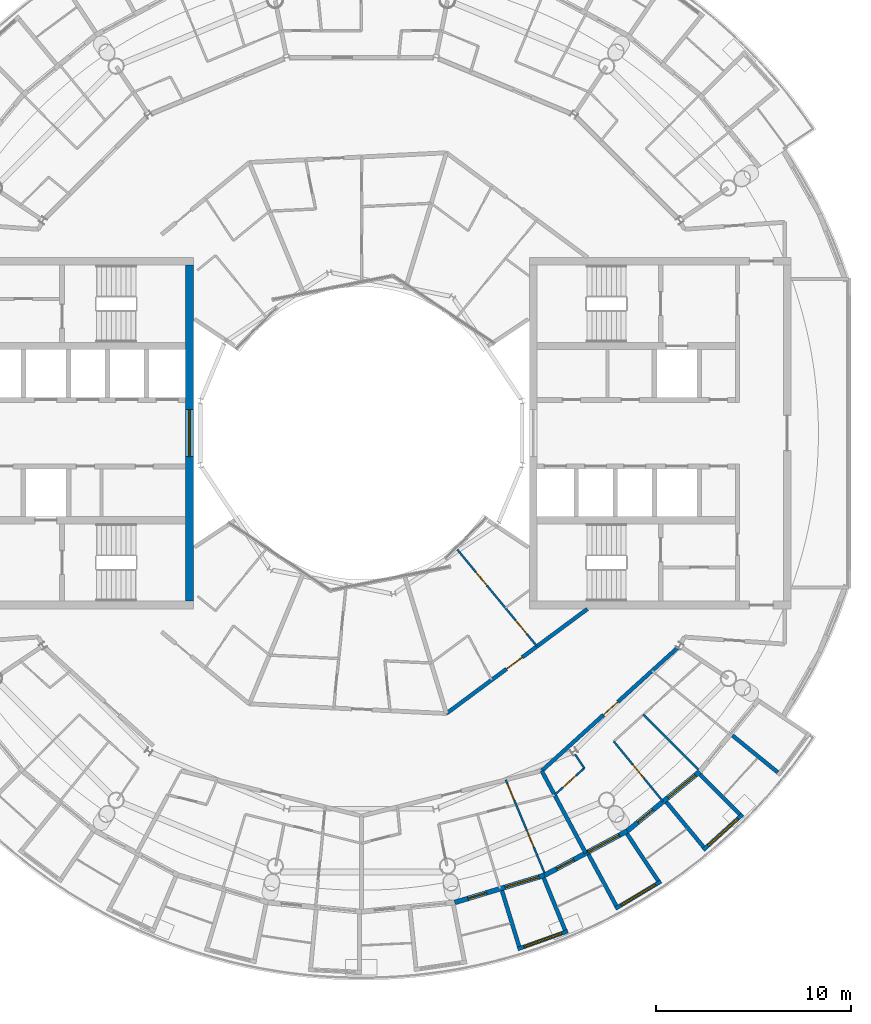
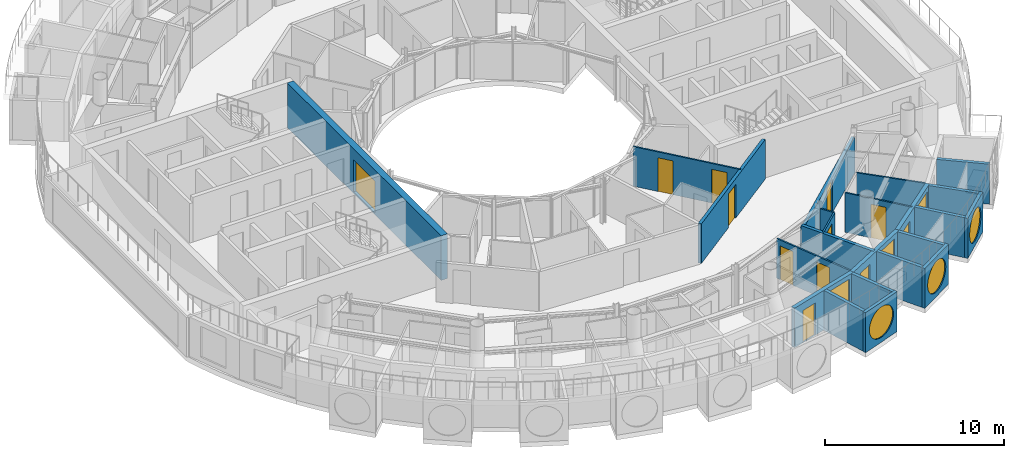
# One storey, part 15 of 25: 23 walls, 11 doors, 7 windows, 18 openings.
"""IFC4 building model written with IfcOpenShell, lengths in metres."""

from ifc_helpers import new_model, si_unit, direction, frame, frame_2d, origin, place, context, subcontext, project, spatial, rectangle, circle, extrude, material, layer, layer_set, type_object, element, fill, save


model = new_model("IFC4")

# Units and contexts
model_context = context("Model", 3, precision=1e-05, world=origin(), true_north=direction((0.0, 1.0)))
body_context = subcontext(model_context, "Body", "Model", "MODEL_VIEW")
ifc_project = project(units=[si_unit("LENGTHUNIT", "METRE"), si_unit("AREAUNIT", "SQUARE_METRE"), si_unit("VOLUMEUNIT", "CUBIC_METRE"), si_unit("PLANEANGLEUNIT", "RADIAN"), si_unit("MASSUNIT", "GRAM", prefix="KILO")], contexts=[model_context])

# Site, building, storey
site_placement = place(None, origin())
site = spatial("IfcSite", under=ifc_project, at=site_placement, CompositionType="ELEMENT")
building_placement = place(site_placement, origin())
building = spatial("IfcBuilding", under=site, at=building_placement, Name="Maasbend Ring Residences", CompositionType="ELEMENT")
storey_placement = place(building_placement, frame((0.0, 0.0, 246.25)))
storey = spatial("IfcBuildingStorey", under=building, at=storey_placement, Name="L71", CompositionType="ELEMENT", Elevation=246.25)

# Wall, opening, window
ifc_material_1 = material(Name="Concrete C50/60", Category="concrete")
ifc_layer_1 = layer(ifc_material_1, 0.39990234375)
ifc_layer_set_1 = layer_set([ifc_layer_1], Name="Concrete C50/60")
wall_type_1 = type_object("IfcWallType", Name="CORE WALL 400 C50/60", PredefinedType="SHEAR", material=ifc_layer_set_1)
wall_1_placement = place(storey_placement, frame((-8.800048828125, 8.60009765625, 0.0), z_axis=(0.0, 0.0, 1.0), x_axis=(0.0, -1.0, 0.0)))
wall_1 = element("IfcWall", 1, at=wall_1_placement, inside=storey, type_object=wall_type_1, Name="L71 core W wall PIN", PredefinedType="SHEAR", context=body_context, shape_type="SweptSolid", body=[
    extrude(rectangle(XDim=17.2001953125, YDim=0.39990234375, at=frame_2d((8.60009765625, 0.0))), origin(), (0.0, 0.0, 1.0), 3.050048828125),
])
opening_1_placement = place(wall_1_placement, frame((7.39990234375, 0.0, 0.10009765625)))
opening_1 = element("IfcOpeningElement", 2, at=opening_1_placement, cuts=wall_1, Name="Opening W-W7101", PredefinedType="OPENING", context=body_context, shape_type="SweptSolid", body=[
    extrude(rectangle(XDim=2.39990234375, YDim=2.199951171875, at=frame_2d((1.199951171875, 1.10009765625))), frame((0.0, 0.2099609375, 0.0), z_axis=(0.0, -1.0, 0.0), x_axis=(1.0, 0.0, 0.0)), (0.0, 0.0, 1.0), 0.419921875),
])
ifc_material_2 = material(Name="Aluminium frame and clear glass", Category="aluminium")
window_type_1 = type_object("IfcWindowType", Name="FIXED WINDOW 2400 X 2200", PartitioningType="SINGLE_PANEL", PredefinedType="WINDOW", material=ifc_material_2)
window_1_placement = place(opening_1_placement, origin())
window_1 = element("IfcWindow", 3, at=window_1_placement, inside=storey, type_object=window_type_1, Name="Lobby window L71", OverallHeight=2.199951171875, OverallWidth=2.39990234375, PartitioningType="SINGLE_PANEL", PredefinedType="WINDOW", context=body_context, shape_type="SweptSolid", body=[
    extrude(rectangle(XDim=2.39990234375, YDim=2.199951171875, at=frame_2d((1.199951171875, 1.10009765625))), frame((0.0, 0.030029296875, 0.0), z_axis=(0.0, -1.0, 0.0), x_axis=(1.0, 0.0, 0.0)), (0.0, 0.0, 1.0), 0.06005859375),
])
fill(opening_1, window_1)

# Wall, opening, door
ifc_material_3 = material(Name="Concrete C30/37", Category="concrete")
ifc_layer_2 = layer(ifc_material_3, 0.199951171875)
ifc_layer_set_2 = layer_set([ifc_layer_2], Name="Concrete C30/37")
wall_type_2 = type_object("IfcWallType", Name="CORRIDOR WALL 200 CONCRETE", PredefinedType="PARTITIONING", material=ifc_layer_set_2)
wall_2_placement = place(storey_placement, frame((9.239013671875, -17.285888671875, 0.0), z_axis=(0.0, 0.0, 1.0), x_axis=(0.740934281602, 0.671577538596, 0.0)))
wall_2 = element("IfcWall", 4, at=wall_2_placement, inside=storey, type_object=wall_type_2, Name="U-L71-w016", PredefinedType="PARTITIONING", context=body_context, shape_type="SweptSolid", body=[
    extrude(rectangle(XDim=9.370361328125, YDim=0.199951171875, at=frame_2d((4.68505859375, 0.0))), origin(), (0.0, 0.0, 1.0), 2.449951171875),
])
opening_2_placement = place(wall_2_placement, frame((4.262939453125, 0.0, 0.0)))
opening_2 = element("IfcOpeningElement", 5, at=opening_2_placement, cuts=wall_2, Name="Opening D-7149", PredefinedType="OPENING", context=body_context, shape_type="SweptSolid", body=[
    extrude(rectangle(XDim=1.0, YDim=2.300048828125, at=frame_2d((0.5, 1.14990234375))), frame((0.0, 0.10986328125, 0.0), z_axis=(0.0, -1.0, 0.0), x_axis=(1.0, 0.0, 0.0)), (0.0, 0.0, 1.0), 0.219970703125),
])
ifc_material_4 = material(Name="Timber, fire-rated, painted", Category="wood")
door_type_1 = type_object("IfcDoorType", Name="FLAT ENTRANCE DOOR 1000 X 2300 FIRE-RATED", OperationType="NOTDEFINED", PredefinedType="DOOR", material=ifc_material_4)
door_1_placement = place(opening_2_placement, origin())
door_1 = element("IfcDoor", 6, at=door_1_placement, inside=storey, type_object=door_type_1, Name="D-7149", OperationType="SINGLE_SWING_RIGHT", OverallHeight=2.300048828125, OverallWidth=1.0, PredefinedType="DOOR", context=body_context, shape_type="SweptSolid", body=[
    extrude(rectangle(XDim=1.0, YDim=2.300048828125, at=frame_2d((0.5, 1.14990234375))), frame((0.0, 0.02490234375, 0.0), z_axis=(0.0, -1.0, 0.0), x_axis=(1.0, 0.0, 0.0)), (0.0, 0.0, 1.0), 0.050048828125),
])
fill(opening_2, door_1)

wall_3_placement = place(storey_placement, frame((4.35400390625, -14.35400390625, 0.0), z_axis=(0.0, 0.0, 1.0), x_axis=(0.80330975478, 0.595561447607, 0.0)))
wall_3 = element("IfcWall", 7, at=wall_3_placement, inside=storey, type_object=wall_type_2, Name="U-L71-w019", PredefinedType="PARTITIONING", context=body_context, shape_type="SweptSolid", body=[
    extrude(rectangle(XDim=8.986572265625, YDim=0.199951171875, at=frame_2d((4.4931640625, 0.0))), origin(), (0.0, 0.0, 1.0), 2.699951171875),
])
opening_3_placement = place(wall_3_placement, frame((3.83203125, 0.0, 0.0)))
opening_3 = element("IfcOpeningElement", 8, at=opening_3_placement, cuts=wall_3, Name="Opening D-7162", PredefinedType="OPENING", context=body_context, shape_type="SweptSolid", body=[
    extrude(rectangle(XDim=1.0, YDim=2.300048828125, at=frame_2d((0.5, 1.14990234375))), frame((0.0, 0.10986328125, 0.0), z_axis=(0.0, -1.0, 0.0), x_axis=(1.0, 0.0, 0.0)), (0.0, 0.0, 1.0), 0.219970703125),
])
door_2_placement = place(opening_3_placement, origin())
door_2 = element("IfcDoor", 9, at=door_2_placement, inside=storey, type_object=door_type_1, Name="D-7162", OperationType="SINGLE_SWING_LEFT", OverallHeight=2.300048828125, OverallWidth=1.0, PredefinedType="DOOR", context=body_context, shape_type="SweptSolid", body=[
    extrude(rectangle(XDim=1.0, YDim=2.300048828125, at=frame_2d((0.5, 1.14990234375))), frame((0.0, 0.02490234375, 0.0), z_axis=(0.0, -1.0, 0.0), x_axis=(1.0, 0.0, 0.0)), (0.0, 0.0, 1.0), 0.050048828125),
])
fill(opening_3, door_2)

# Wall, opening, window
ifc_material_5 = material(Name="Pale anodised aluminium panel", Category="aluminium")
ifc_layer_3 = layer(ifc_material_5, 0.199951171875)
ifc_layer_set_3 = layer_set([ifc_layer_3], Name="EW-BOX")
wall_type_3 = type_object("IfcWallType", Name="EW-BOX", PredefinedType="SOLIDWALL", material=ifc_layer_set_3)
wall_4_placement = place(storey_placement, frame((8.007080078125, -26.4130859375, -0.030029296875), z_axis=(0.0, 0.0, 1.0), x_axis=(0.941532471443, 0.336922253968, 0.0)))
wall_4 = element("IfcWall", 10, at=wall_4_placement, inside=storey, type_object=wall_type_3, Name="Box front S14", PredefinedType="SOLIDWALL", context=body_context, shape_type="SweptSolid", body=[
    extrude(rectangle(XDim=2.71875, YDim=0.199951171875, at=frame_2d((1.359375, 0.0))), origin(), (0.0, 0.0, 1.0), 2.72998046875),
])
opening_4_placement = place(wall_4_placement, frame((0.319091796875, 0.0, 0.330078125)))
opening_4 = element("IfcOpeningElement", 11, at=opening_4_placement, cuts=wall_4, Name="Opening W-RD", PredefinedType="OPENING", context=body_context, shape_type="SweptSolid", body=[
    extrude(circle(Radius=1.0400390625, at=frame_2d((1.0400390625, 1.0400390625))), frame((0.0, 0.10986328125, 0.0), z_axis=(0.0, -1.0, 0.0), x_axis=(1.0, 0.0, 0.0)), (0.0, 0.0, 1.0), 0.219970703125),
])
ifc_material_6 = material(Name="Aluminium and clear glass", Category="aluminium")
window_type_2 = type_object("IfcWindowType", Name="W-RD", PartitioningType="SINGLE_PANEL", PredefinedType="WINDOW", material=ifc_material_6)
window_2_placement = place(opening_4_placement, origin())
window_2 = element("IfcWindow", 12, at=window_2_placement, inside=storey, type_object=window_type_2, Name="Round window S14", OverallHeight=2.080078125, OverallWidth=2.080078125, PartitioningType="SINGLE_PANEL", PredefinedType="WINDOW", context=body_context, shape_type="SweptSolid", body=[
    extrude(circle(Radius=1.0400390625, at=frame_2d((1.0400390625, 1.0400390625))), frame((0.0, 0.030029296875, 0.0), z_axis=(0.0, -1.0, 0.0), x_axis=(1.0, 0.0, 0.0)), (0.0, 0.0, 1.0), 0.06005859375),
])
fill(opening_4, window_2)

# Walls
wall_5_placement = place(storey_placement, frame((7.198974609375, -23.426025390625, -0.030029296875), z_axis=(0.0, 0.0, 1.0), x_axis=(0.293764720054, -0.95587775853, 0.0)))
element("IfcWall", 13, at=wall_5_placement, inside=storey, type_object=wall_type_3, Name="Box side wall S14 left", PredefinedType="SOLIDWALL", context=body_context, shape_type="SweptSolid", body=[
    extrude(rectangle(XDim=2.991943359375, YDim=0.199951171875, at=frame_2d((1.49609375, 0.0))), origin(), (0.0, 0.0, 1.0), 2.72998046875),
])
wall_6_placement = place(storey_placement, frame((9.337890625, -22.777099609375, -0.030029296875), z_axis=(0.0, 0.0, 1.0), x_axis=(0.379219850791, -0.925306600412, 0.0)))
element("IfcWall", 14, at=wall_6_placement, inside=storey, type_object=wall_type_3, Name="Box side wall S14 right", PredefinedType="SOLIDWALL", context=body_context, shape_type="SweptSolid", body=[
    extrude(rectangle(XDim=2.88232421875, YDim=0.199951171875, at=frame_2d((1.441162109375, 0.0))), origin(), (0.0, 0.0, 1.0), 2.72998046875),
])

# Wall, opening, window
wall_7_placement = place(storey_placement, frame((13.006103515625, -24.343017578125, -0.030029296875), z_axis=(0.0, 0.0, 1.0), x_axis=(0.857833510448, 0.513927687863, 0.0)))
wall_7 = element("IfcWall", 15, at=wall_7_placement, inside=storey, type_object=wall_type_3, Name="Box front S16", PredefinedType="SOLIDWALL", context=body_context, shape_type="SweptSolid", body=[
    extrude(rectangle(XDim=2.71826171875, YDim=0.199951171875, at=frame_2d((1.359130859375, 0.0))), origin(), (0.0, 0.0, 1.0), 2.72998046875),
])
opening_5_placement = place(wall_7_placement, frame((0.319091796875, 0.0, 0.330078125)))
opening_5 = element("IfcOpeningElement", 16, at=opening_5_placement, cuts=wall_7, Name="Opening W-RD", PredefinedType="OPENING", context=body_context, shape_type="SweptSolid", body=[
    extrude(circle(Radius=1.0400390625, at=frame_2d((1.0400390625, 1.0400390625))), frame((0.0, 0.10986328125, 0.0), z_axis=(0.0, -1.0, 0.0), x_axis=(1.0, 0.0, 0.0)), (0.0, 0.0, 1.0), 0.219970703125),
])
window_3_placement = place(opening_5_placement, origin())
window_3 = element("IfcWindow", 17, at=window_3_placement, inside=storey, type_object=window_type_2, Name="Round window S16", OverallHeight=2.080078125, OverallWidth=2.080078125, PartitioningType="SINGLE_PANEL", PredefinedType="WINDOW", context=body_context, shape_type="SweptSolid", body=[
    extrude(circle(Radius=1.0400390625, at=frame_2d((1.0400390625, 1.0400390625))), frame((0.0, 0.030029296875, 0.0), z_axis=(0.0, -1.0, 0.0), x_axis=(1.0, 0.0, 0.0)), (0.0, 0.0, 1.0), 0.06005859375),
])
fill(opening_5, window_3)

# Walls
wall_8_placement = place(storey_placement, frame((11.631103515625, -21.572021484375, -0.030029296875), z_axis=(0.0, 0.0, 1.0), x_axis=(0.474649669009, -0.880174807473, 0.0)))
element("IfcWall", 18, at=wall_8_placement, inside=storey, type_object=wall_type_3, Name="Box side wall S16 left", PredefinedType="SOLIDWALL", context=body_context, shape_type="SweptSolid", body=[
    extrude(rectangle(XDim=2.991455078125, YDim=0.199951171875, at=frame_2d((1.49560546875, 0.0))), origin(), (0.0, 0.0, 1.0), 2.72998046875),
])
wall_9_placement = place(storey_placement, frame((13.60302734375, -20.51806640625, -0.030029296875), z_axis=(0.0, 0.0, 1.0), x_axis=(0.55248888476, -0.833520265031, 0.0)))
element("IfcWall", 19, at=wall_9_placement, inside=storey, type_object=wall_type_3, Name="Box side wall S16 right", PredefinedType="SOLIDWALL", context=body_context, shape_type="SweptSolid", body=[
    extrude(rectangle(XDim=2.881591796875, YDim=0.199951171875, at=frame_2d((1.44091796875, 0.0))), origin(), (0.0, 0.0, 1.0), 2.72998046875),
])

# Wall, opening, window
wall_10_placement = place(storey_placement, frame((17.506103515625, -21.337890625, -0.030029296875), z_axis=(0.0, 0.0, 1.0), x_axis=(0.741016284298, 0.671487056022, 0.0)))
wall_10 = element("IfcWall", 20, at=wall_10_placement, inside=storey, type_object=wall_type_3, Name="Box front S18", PredefinedType="SOLIDWALL", context=body_context, shape_type="SweptSolid", body=[
    extrude(rectangle(XDim=2.7177734375, YDim=0.199951171875, at=frame_2d((1.35888671875, 0.0))), origin(), (0.0, 0.0, 1.0), 2.72998046875),
])
opening_6_placement = place(wall_10_placement, frame((0.319091796875, 0.0, 0.330078125)))
opening_6 = element("IfcOpeningElement", 21, at=opening_6_placement, cuts=wall_10, Name="Opening W-RD", PredefinedType="OPENING", context=body_context, shape_type="SweptSolid", body=[
    extrude(circle(Radius=1.0400390625, at=frame_2d((1.0400390625, 1.0400390625))), frame((0.0, 0.10986328125, 0.0), z_axis=(0.0, -1.0, 0.0), x_axis=(1.0, 0.0, 0.0)), (0.0, 0.0, 1.0), 0.219970703125),
])
window_4_placement = place(opening_6_placement, origin())
window_4 = element("IfcWindow", 22, at=window_4_placement, inside=storey, type_object=window_type_2, Name="Round window S18", OverallHeight=2.080078125, OverallWidth=2.080078125, PartitioningType="SINGLE_PANEL", PredefinedType="WINDOW", context=body_context, shape_type="SweptSolid", body=[
    extrude(circle(Radius=1.0400390625, at=frame_2d((1.0400390625, 1.0400390625))), frame((0.0, 0.030029296875, 0.0), z_axis=(0.0, -1.0, 0.0), x_axis=(1.0, 0.0, 0.0)), (0.0, 0.0, 1.0), 0.06005859375),
])
fill(opening_6, window_4)

# Walls
wall_11_placement = place(storey_placement, frame((15.614990234375, -18.887939453125, -0.030029296875), z_axis=(0.0, 0.0, 1.0), x_axis=(0.637452521862, -0.770489638069, 0.0)))
element("IfcWall", 23, at=wall_11_placement, inside=storey, type_object=wall_type_3, Name="Box side wall S18 left", PredefinedType="SOLIDWALL", context=body_context, shape_type="SweptSolid", body=[
    extrude(rectangle(XDim=2.9931640625, YDim=0.199951171875, at=frame_2d((1.49658203125, 0.0))), origin(), (0.0, 0.0, 1.0), 2.72998046875),
])
wall_12_placement = place(storey_placement, frame((17.343994140625, -17.469970703125, -0.030029296875), z_axis=(0.0, 0.0, 1.0), x_axis=(0.704306055012, -0.709896457854, 0.0)))
element("IfcWall", 24, at=wall_12_placement, inside=storey, type_object=wall_type_3, Name="Box side wall S18 right", PredefinedType="SOLIDWALL", context=body_context, shape_type="SweptSolid", body=[
    extrude(rectangle(XDim=2.88232421875, YDim=0.199951171875, at=frame_2d((1.441162109375, 0.0))), origin(), (0.0, 0.0, 1.0), 2.72998046875),
])
wall_13_placement = place(storey_placement, frame((19.0, -15.47900390625, -0.030029296875), z_axis=(0.0, 0.0, 1.0), x_axis=(0.775612161439, -0.631209771017, 0.0)))
element("IfcWall", 25, at=wall_13_placement, inside=storey, type_object=wall_type_3, Name="Box side wall S20 left", PredefinedType="SOLIDWALL", context=body_context, shape_type="SweptSolid", body=[
    extrude(rectangle(XDim=2.992431640625, YDim=0.199951171875, at=frame_2d((1.49609375, 0.0))), origin(), (0.0, 0.0, 1.0), 2.72998046875),
])

# Wall, openings, door, window
ifc_material_7 = material(Name="Aluminium clad insulated panel", Category="aluminium")
ifc_layer_4 = layer(ifc_material_7, 0.25)
ifc_layer_set_4 = layer_set([ifc_layer_4], Name="EW-GL")
wall_type_4 = type_object("IfcWallType", Name="EW-GL", PredefinedType="SOLIDWALL", material=ifc_layer_set_4)
wall_14_placement = place(storey_placement, frame((4.780029296875, -24.029052734375, 0.0), z_axis=(0.0, 0.0, 1.0), x_axis=(0.956947414517, 0.290261340605, 0.0)))
wall_14 = element("IfcWall", 26, at=wall_14_placement, inside=storey, type_object=wall_type_4, Name="External wall S07", PredefinedType="SOLIDWALL", context=body_context, shape_type="SweptSolid", body=[
    extrude(rectangle(XDim=4.802734375, YDim=0.25, at=frame_2d((2.4013671875, 0.0))), origin(), (0.0, 0.0, 1.0), 2.699951171875),
])
opening_7_placement = place(wall_14_placement, frame((0.70361328125, 0.0, 0.0)))
opening_7 = element("IfcOpeningElement", 27, at=opening_7_placement, cuts=wall_14, Name="Opening D-LG", PredefinedType="OPENING", context=body_context, shape_type="SweptSolid", body=[
    extrude(rectangle(XDim=1.0, YDim=2.199951171875, at=frame_2d((0.5, 1.10009765625))), frame((0.0, 0.135009765625, 0.0), z_axis=(0.0, -1.0, 0.0), x_axis=(1.0, 0.0, 0.0)), (0.0, 0.0, 1.0), 0.27001953125),
])
opening_8_placement = place(wall_14_placement, frame((2.69921875, 0.0, 0.300048828125)))
opening_8 = element("IfcOpeningElement", 28, at=opening_8_placement, cuts=wall_14, Name="Opening W-BX", PredefinedType="OPENING", context=body_context, shape_type="SweptSolid", body=[
    extrude(rectangle(XDim=1.800048828125, YDim=2.10009765625, at=frame_2d((0.89990234375, 1.050048828125))), frame((0.0, 0.135009765625, 0.0), z_axis=(0.0, -1.0, 0.0), x_axis=(1.0, 0.0, 0.0)), (0.0, 0.0, 1.0), 0.27001953125),
])
ifc_material_8 = material(Name="Aluminium and clear glass", Category="aluminium")
door_type_2 = type_object("IfcDoorType", Name="D-LG", OperationType="SINGLE_SWING_LEFT", PredefinedType="DOOR", material=ifc_material_8)
door_3_placement = place(opening_7_placement, origin())
door_3 = element("IfcDoor", 29, at=door_3_placement, inside=storey, type_object=door_type_2, Name="Loggia door S13", OperationType="SINGLE_SWING_LEFT", OverallHeight=2.199951171875, OverallWidth=1.0, PredefinedType="DOOR", context=body_context, shape_type="SweptSolid", body=[
    extrude(rectangle(XDim=1.0, YDim=2.199951171875, at=frame_2d((0.5, 1.10009765625))), frame((0.0, 0.02490234375, 0.0), z_axis=(0.0, -1.0, 0.0), x_axis=(1.0, 0.0, 0.0)), (0.0, 0.0, 1.0), 0.050048828125),
])
fill(opening_7, door_3)
ifc_material_9 = material(Name="Aluminium and clear glass", Category="aluminium")
window_type_3 = type_object("IfcWindowType", Name="W-BX", PartitioningType="DOUBLE_PANEL_VERTICAL", PredefinedType="WINDOW", material=ifc_material_9)
window_5_placement = place(opening_8_placement, origin())
window_5 = element("IfcWindow", 30, at=window_5_placement, inside=storey, type_object=window_type_3, Name="Window S14 room to box", OverallHeight=2.10009765625, OverallWidth=1.800048828125, PartitioningType="SINGLE_PANEL", PredefinedType="WINDOW", context=body_context, shape_type="SweptSolid", body=[
    extrude(rectangle(XDim=1.800048828125, YDim=2.10009765625, at=frame_2d((0.89990234375, 1.050048828125))), frame((0.0, 0.030029296875, 0.0), z_axis=(0.0, -1.0, 0.0), x_axis=(1.0, 0.0, 0.0)), (0.0, 0.0, 1.0), 0.06005859375),
])
fill(opening_8, window_5)

wall_15_placement = place(storey_placement, frame((9.3759765625, -22.635009765625, 0.0), z_axis=(0.0, 0.0, 1.0), x_axis=(0.881903608701, 0.471429766731, 0.0)))
wall_15 = element("IfcWall", 31, at=wall_15_placement, inside=storey, type_object=wall_type_4, Name="External wall S08", PredefinedType="SOLIDWALL", context=body_context, shape_type="SweptSolid", body=[
    extrude(rectangle(XDim=4.80224609375, YDim=0.25, at=frame_2d((2.401123046875, 0.0))), origin(), (0.0, 0.0, 1.0), 2.699951171875),
])
opening_9_placement = place(wall_15_placement, frame((0.70361328125, 0.0, 0.0)))
opening_9 = element("IfcOpeningElement", 32, at=opening_9_placement, cuts=wall_15, Name="Opening D-LG", PredefinedType="OPENING", context=body_context, shape_type="SweptSolid", body=[
    extrude(rectangle(XDim=1.0, YDim=2.199951171875, at=frame_2d((0.5, 1.10009765625))), frame((0.0, 0.135009765625, 0.0), z_axis=(0.0, -1.0, 0.0), x_axis=(1.0, 0.0, 0.0)), (0.0, 0.0, 1.0), 0.27001953125),
])
opening_10_placement = place(wall_15_placement, frame((2.54150390625, 0.0, 0.300048828125)))
opening_10 = element("IfcOpeningElement", 33, at=opening_10_placement, cuts=wall_15, Name="Opening W-BX", PredefinedType="OPENING", context=body_context, shape_type="SweptSolid", body=[
    extrude(rectangle(XDim=1.800048828125, YDim=2.10009765625, at=frame_2d((0.89990234375, 1.050048828125))), frame((0.0, 0.135009765625, 0.0), z_axis=(0.0, -1.0, 0.0), x_axis=(1.0, 0.0, 0.0)), (0.0, 0.0, 1.0), 0.27001953125),
])
door_4_placement = place(opening_9_placement, origin())
door_4 = element("IfcDoor", 34, at=door_4_placement, inside=storey, type_object=door_type_2, Name="Loggia door S15", OperationType="SINGLE_SWING_LEFT", OverallHeight=2.199951171875, OverallWidth=1.0, PredefinedType="DOOR", context=body_context, shape_type="SweptSolid", body=[
    extrude(rectangle(XDim=1.0, YDim=2.199951171875, at=frame_2d((0.5, 1.10009765625))), frame((0.0, 0.02490234375, 0.0), z_axis=(0.0, -1.0, 0.0), x_axis=(1.0, 0.0, 0.0)), (0.0, 0.0, 1.0), 0.050048828125),
])
fill(opening_9, door_4)
window_6_placement = place(opening_10_placement, origin())
window_6 = element("IfcWindow", 35, at=window_6_placement, inside=storey, type_object=window_type_3, Name="Window S16 room to box", OverallHeight=2.10009765625, OverallWidth=1.800048828125, PartitioningType="SINGLE_PANEL", PredefinedType="WINDOW", context=body_context, shape_type="SweptSolid", body=[
    extrude(rectangle(XDim=1.800048828125, YDim=2.10009765625, at=frame_2d((0.89990234375, 1.050048828125))), frame((0.0, 0.030029296875, 0.0), z_axis=(0.0, -1.0, 0.0), x_axis=(1.0, 0.0, 0.0)), (0.0, 0.0, 1.0), 0.06005859375),
])
fill(opening_10, window_6)

wall_16_placement = place(storey_placement, frame((13.611083984375, -20.37109375, 0.0), z_axis=(0.0, 0.0, 1.0), x_axis=(0.773007538262, 0.634396836208, 0.0)))
wall_16 = element("IfcWall", 36, at=wall_16_placement, inside=storey, type_object=wall_type_4, Name="External wall S09", PredefinedType="SOLIDWALL", context=body_context, shape_type="SweptSolid", body=[
    extrude(rectangle(XDim=4.80322265625, YDim=0.25, at=frame_2d((2.401611328125, 0.0))), origin(), (0.0, 0.0, 1.0), 2.699951171875),
])
opening_11_placement = place(wall_16_placement, frame((0.70361328125, 0.0, 0.0)))
opening_11 = element("IfcOpeningElement", 37, at=opening_11_placement, cuts=wall_16, Name="Opening D-LG", PredefinedType="OPENING", context=body_context, shape_type="SweptSolid", body=[
    extrude(rectangle(XDim=1.0, YDim=2.199951171875, at=frame_2d((0.5, 1.10009765625))), frame((0.0, 0.135009765625, 0.0), z_axis=(0.0, -1.0, 0.0), x_axis=(1.0, 0.0, 0.0)), (0.0, 0.0, 1.0), 0.27001953125),
])
opening_12_placement = place(wall_16_placement, frame((2.69921875, 0.0, 0.300048828125)))
opening_12 = element("IfcOpeningElement", 38, at=opening_12_placement, cuts=wall_16, Name="Opening W-BX", PredefinedType="OPENING", context=body_context, shape_type="SweptSolid", body=[
    extrude(rectangle(XDim=1.800048828125, YDim=2.10009765625, at=frame_2d((0.89990234375, 1.050048828125))), frame((0.0, 0.135009765625, 0.0), z_axis=(0.0, -1.0, 0.0), x_axis=(1.0, 0.0, 0.0)), (0.0, 0.0, 1.0), 0.27001953125),
])
door_5_placement = place(opening_11_placement, origin())
door_5 = element("IfcDoor", 39, at=door_5_placement, inside=storey, type_object=door_type_2, Name="Loggia door S17", OperationType="SINGLE_SWING_LEFT", OverallHeight=2.199951171875, OverallWidth=1.0, PredefinedType="DOOR", context=body_context, shape_type="SweptSolid", body=[
    extrude(rectangle(XDim=1.0, YDim=2.199951171875, at=frame_2d((0.5, 1.10009765625))), frame((0.0, 0.02490234375, 0.0), z_axis=(0.0, -1.0, 0.0), x_axis=(1.0, 0.0, 0.0)), (0.0, 0.0, 1.0), 0.050048828125),
])
fill(opening_11, door_5)
window_7_placement = place(opening_12_placement, origin())
window_7 = element("IfcWindow", 40, at=window_7_placement, inside=storey, type_object=window_type_3, Name="Window S18 room to box", OverallHeight=2.10009765625, OverallWidth=1.800048828125, PartitioningType="SINGLE_PANEL", PredefinedType="WINDOW", context=body_context, shape_type="SweptSolid", body=[
    extrude(rectangle(XDim=1.800048828125, YDim=2.10009765625, at=frame_2d((0.89990234375, 1.050048828125))), frame((0.0, 0.030029296875, 0.0), z_axis=(0.0, -1.0, 0.0), x_axis=(1.0, 0.0, 0.0)), (0.0, 0.0, 1.0), 0.06005859375),
])
fill(opening_12, window_7)

# Wall, opening, door
ifc_material_10 = material(Name="Gypsum board on steel studs", Category="steel")
ifc_layer_5 = layer(ifc_material_10, 0.10009765625)
ifc_layer_set_5 = layer_set([ifc_layer_5], Name="PARTITION 100 GYPSUM")
wall_type_5 = type_object("IfcWallType", Name="PARTITION 100 GYPSUM", PredefinedType="PARTITIONING", material=ifc_layer_set_5)
wall_17_placement = place(storey_placement, frame((9.89892578125, -18.52001953125, 0.0), z_axis=(0.0, 0.0, 1.0), x_axis=(0.741280718106, 0.671195125849, 0.0)))
wall_17 = element("IfcWall", 41, at=wall_17_placement, inside=storey, type_object=wall_type_5, Name="U-L71-w009", PredefinedType="PARTITIONING", context=body_context, shape_type="SweptSolid", body=[
    extrude(rectangle(XDim=2.041259765625, YDim=0.10009765625, at=frame_2d((1.0205078125, 0.0))), origin(), (0.0, 0.0, 1.0), 2.699951171875),
])
opening_13_placement = place(wall_17_placement, frame((0.571044921875, 0.0, 0.0)))
opening_13 = element("IfcOpeningElement", 42, at=opening_13_placement, cuts=wall_17, Name="Opening D-7150", PredefinedType="OPENING", context=body_context, shape_type="SweptSolid", body=[
    extrude(rectangle(XDim=0.89990234375, YDim=2.300048828125, at=frame_2d((0.449951171875, 1.14990234375))), frame((0.0, 0.06005859375, 0.0), z_axis=(0.0, -1.0, 0.0), x_axis=(1.0, 0.0, 0.0)), (0.0, 0.0, 1.0), 0.1201171875),
])
ifc_material_11 = material(Name="Timber, painted", Category="wood")
door_type_3 = type_object("IfcDoorType", Name="INTERNAL DOOR 900 X 2300", OperationType="NOTDEFINED", PredefinedType="DOOR", material=ifc_material_11)
door_6_placement = place(opening_13_placement, origin())
door_6 = element("IfcDoor", 43, at=door_6_placement, inside=storey, type_object=door_type_3, Name="D-7150", OperationType="SINGLE_SWING_LEFT", OverallHeight=2.300048828125, OverallWidth=0.89990234375, PredefinedType="DOOR", context=body_context, shape_type="SweptSolid", body=[
    extrude(rectangle(XDim=0.89990234375, YDim=2.300048828125, at=frame_2d((0.449951171875, 1.14990234375))), frame((0.0, 0.02490234375, 0.0), z_axis=(0.0, -1.0, 0.0), x_axis=(1.0, 0.0, 0.0)), (0.0, 0.0, 1.0), 0.050048828125),
])
fill(opening_13, door_6)

# Wall, openings, doors
wall_18_placement = place(storey_placement, frame((4.908935546875, -5.9580078125, 0.0), z_axis=(0.0, 0.0, 1.0), x_axis=(0.635941750694, -0.771737059965, 0.0)))
wall_18 = element("IfcWall", 44, at=wall_18_placement, inside=storey, type_object=wall_type_5, Name="U-L71-w069", PredefinedType="PARTITIONING", context=body_context, shape_type="SweptSolid", body=[
    extrude(rectangle(XDim=6.421875, YDim=0.10009765625, at=frame_2d((3.2109375, 0.0))), origin(), (0.0, 0.0, 1.0), 2.699951171875),
])
opening_14_placement = place(wall_18_placement, frame((4.698974609375, 0.0, 0.0)))
opening_14 = element("IfcOpeningElement", 45, at=opening_14_placement, cuts=wall_18, Name="Opening D-7164", PredefinedType="OPENING", context=body_context, shape_type="SweptSolid", body=[
    extrude(rectangle(XDim=0.89990234375, YDim=2.300048828125, at=frame_2d((0.449951171875, 1.14990234375))), frame((0.0, 0.06005859375, 0.0), z_axis=(0.0, -1.0, 0.0), x_axis=(1.0, 0.0, 0.0)), (0.0, 0.0, 1.0), 0.1201171875),
])
opening_15_placement = place(wall_18_placement, frame((1.488037109375, 0.0, 0.0)))
opening_15 = element("IfcOpeningElement", 46, at=opening_15_placement, cuts=wall_18, Name="Opening D-7165", PredefinedType="OPENING", context=body_context, shape_type="SweptSolid", body=[
    extrude(rectangle(XDim=0.89990234375, YDim=2.300048828125, at=frame_2d((0.449951171875, 1.14990234375))), frame((0.0, 0.06005859375, 0.0), z_axis=(0.0, -1.0, 0.0), x_axis=(1.0, 0.0, 0.0)), (0.0, 0.0, 1.0), 0.1201171875),
])
door_7_placement = place(opening_14_placement, origin())
door_7 = element("IfcDoor", 47, at=door_7_placement, inside=storey, type_object=door_type_3, Name="D-7164", OperationType="SINGLE_SWING_RIGHT", OverallHeight=2.300048828125, OverallWidth=0.89990234375, PredefinedType="DOOR", context=body_context, shape_type="SweptSolid", body=[
    extrude(rectangle(XDim=0.89990234375, YDim=2.300048828125, at=frame_2d((0.449951171875, 1.14990234375))), frame((0.0, 0.02490234375, 0.0), z_axis=(0.0, -1.0, 0.0), x_axis=(1.0, 0.0, 0.0)), (0.0, 0.0, 1.0), 0.050048828125),
])
fill(opening_14, door_7)
door_8_placement = place(opening_15_placement, origin())
door_8 = element("IfcDoor", 48, at=door_8_placement, inside=storey, type_object=door_type_3, Name="D-7165", OperationType="SINGLE_SWING_LEFT", OverallHeight=2.300048828125, OverallWidth=0.89990234375, PredefinedType="DOOR", context=body_context, shape_type="SweptSolid", body=[
    extrude(rectangle(XDim=0.89990234375, YDim=2.300048828125, at=frame_2d((0.449951171875, 1.14990234375))), frame((0.0, 0.02490234375, 0.0), z_axis=(0.0, -1.0, 0.0), x_axis=(1.0, 0.0, 0.0)), (0.0, 0.0, 1.0), 0.050048828125),
])
fill(opening_15, door_8)

wall_19_placement = place(storey_placement, frame((7.39111328125, -17.7490234375, 0.0), z_axis=(0.0, 0.0, 1.0), x_axis=(0.38454804651, -0.923104977738, 0.0)))
wall_19 = element("IfcWall", 49, at=wall_19_placement, inside=storey, type_object=wall_type_5, Name="U-L71-w075", PredefinedType="PARTITIONING", context=body_context, shape_type="SweptSolid", body=[
    extrude(rectangle(XDim=5.14892578125, YDim=0.10009765625, at=frame_2d((2.574462890625, 0.0))), origin(), (0.0, 0.0, 1.0), 2.699951171875),
])
opening_16_placement = place(wall_19_placement, frame((0.237060546875, 0.0, 0.0)))
opening_16 = element("IfcOpeningElement", 50, at=opening_16_placement, cuts=wall_19, Name="Opening D-7145", PredefinedType="OPENING", context=body_context, shape_type="SweptSolid", body=[
    extrude(rectangle(XDim=0.89990234375, YDim=2.300048828125, at=frame_2d((0.449951171875, 1.14990234375))), frame((0.0, 0.06005859375, 0.0), z_axis=(0.0, -1.0, 0.0), x_axis=(1.0, 0.0, 0.0)), (0.0, 0.0, 1.0), 0.1201171875),
])
opening_17_placement = place(wall_19_placement, frame((2.81103515625, 0.0, 0.0)))
opening_17 = element("IfcOpeningElement", 51, at=opening_17_placement, cuts=wall_19, Name="Opening D-7148", PredefinedType="OPENING", context=body_context, shape_type="SweptSolid", body=[
    extrude(rectangle(XDim=0.89990234375, YDim=2.300048828125, at=frame_2d((0.449951171875, 1.14990234375))), frame((0.0, 0.06005859375, 0.0), z_axis=(0.0, -1.0, 0.0), x_axis=(1.0, 0.0, 0.0)), (0.0, 0.0, 1.0), 0.1201171875),
])
door_9_placement = place(opening_16_placement, origin())
door_9 = element("IfcDoor", 52, at=door_9_placement, inside=storey, type_object=door_type_3, Name="D-7145", OperationType="SINGLE_SWING_LEFT", OverallHeight=2.300048828125, OverallWidth=0.89990234375, PredefinedType="DOOR", context=body_context, shape_type="SweptSolid", body=[
    extrude(rectangle(XDim=0.89990234375, YDim=2.300048828125, at=frame_2d((0.449951171875, 1.14990234375))), frame((0.0, 0.02490234375, 0.0), z_axis=(0.0, -1.0, 0.0), x_axis=(1.0, 0.0, 0.0)), (0.0, 0.0, 1.0), 0.050048828125),
])
fill(opening_16, door_9)
door_10_placement = place(opening_17_placement, origin())
door_10 = element("IfcDoor", 53, at=door_10_placement, inside=storey, type_object=door_type_3, Name="D-7148", OperationType="SINGLE_SWING_RIGHT", OverallHeight=2.300048828125, OverallWidth=0.89990234375, PredefinedType="DOOR", context=body_context, shape_type="SweptSolid", body=[
    extrude(rectangle(XDim=0.89990234375, YDim=2.300048828125, at=frame_2d((0.449951171875, 1.14990234375))), frame((0.0, 0.02490234375, 0.0), z_axis=(0.0, -1.0, 0.0), x_axis=(1.0, 0.0, 0.0)), (0.0, 0.0, 1.0), 0.050048828125),
])
fill(opening_17, door_10)

# Wall
wall_20_placement = place(storey_placement, frame((10.94091796875, -16.44189453125, 0.0), z_axis=(0.0, 0.0, 1.0), x_axis=(0.554037560198, -0.832491670763, 0.0)))
element("IfcWall", 54, at=wall_20_placement, inside=storey, type_object=wall_type_5, Name="U-L71-w078", PredefinedType="PARTITIONING", context=body_context, shape_type="SweptSolid", body=[
    extrude(rectangle(XDim=0.8505859375, YDim=0.10009765625, at=frame_2d((0.42529296875, 0.0))), origin(), (0.0, 0.0, 1.0), 2.699951171875),
])

# Wall, opening, door
wall_21_placement = place(storey_placement, frame((12.922119140625, -15.780029296875, 0.0), z_axis=(0.0, 0.0, 1.0), x_axis=(0.633648720881, -0.77362090104, 0.0)))
wall_21 = element("IfcWall", 55, at=wall_21_placement, inside=storey, type_object=wall_type_5, Name="U-L71-w081", PredefinedType="PARTITIONING", context=body_context, shape_type="SweptSolid", body=[
    extrude(rectangle(XDim=3.978515625, YDim=0.10009765625, at=frame_2d((1.9892578125, 0.0))), origin(), (0.0, 0.0, 1.0), 2.699951171875),
])
opening_18_placement = place(wall_21_placement, frame((1.5400390625, 0.0, 0.0)))
opening_18 = element("IfcOpeningElement", 56, at=opening_18_placement, cuts=wall_21, Name="Opening D-7152", PredefinedType="OPENING", context=body_context, shape_type="SweptSolid", body=[
    extrude(rectangle(XDim=0.89990234375, YDim=2.300048828125, at=frame_2d((0.449951171875, 1.14990234375))), frame((0.0, 0.06005859375, 0.0), z_axis=(0.0, -1.0, 0.0), x_axis=(1.0, 0.0, 0.0)), (0.0, 0.0, 1.0), 0.1201171875),
])
door_11_placement = place(opening_18_placement, origin())
door_11 = element("IfcDoor", 57, at=door_11_placement, inside=storey, type_object=door_type_3, Name="D-7152", OperationType="SINGLE_SWING_RIGHT", OverallHeight=2.300048828125, OverallWidth=0.89990234375, PredefinedType="DOOR", context=body_context, shape_type="SweptSolid", body=[
    extrude(rectangle(XDim=0.89990234375, YDim=2.300048828125, at=frame_2d((0.449951171875, 1.14990234375))), frame((0.0, 0.02490234375, 0.0), z_axis=(0.0, -1.0, 0.0), x_axis=(1.0, 0.0, 0.0)), (0.0, 0.0, 1.0), 0.050048828125),
])
fill(opening_18, door_11)

# Walls
wall_22_placement = place(storey_placement, frame((14.43603515625, -14.407958984375, 0.0), z_axis=(0.0, 0.0, 1.0), x_axis=(0.707720109647, -0.706492920277, 0.0)))
element("IfcWall", 58, at=wall_22_placement, inside=storey, type_object=wall_type_5, Name="U-L71-w082", PredefinedType="PARTITIONING", context=body_context, shape_type="SweptSolid", body=[
    extrude(rectangle(XDim=3.978759765625, YDim=0.10009765625, at=frame_2d((1.9892578125, 0.0))), origin(), (0.0, 0.0, 1.0), 2.699951171875),
])
ifc_material_12 = material(Name="Concrete C30/37", Category="concrete")
ifc_layer_6 = layer(ifc_material_12, 0.199951171875)
ifc_layer_set_6 = layer_set([ifc_layer_6], Name="Concrete C30/37")
wall_type_6 = type_object("IfcWallType", Name="PARTY WALL 200 CONCRETE", PredefinedType="PARTITIONING", material=ifc_layer_set_6)
wall_23_placement = place(storey_placement, frame((9.23388671875, -17.2890625, 0.0), z_axis=(0.0, 0.0, 1.0), x_axis=(0.471710500702, -0.881753482288, 0.0)))
element("IfcWall", 59, at=wall_23_placement, inside=storey, type_object=wall_type_6, Name="U-L71-w032", PredefinedType="PARTITIONING", context=body_context, shape_type="SweptSolid", body=[
    extrude(rectangle(XDim=4.7744140625, YDim=0.199951171875, at=frame_2d((2.38720703125, 0.0))), origin(), (0.0, 0.0, 1.0), 2.699951171875),
])

save(model, "model.ifc")
